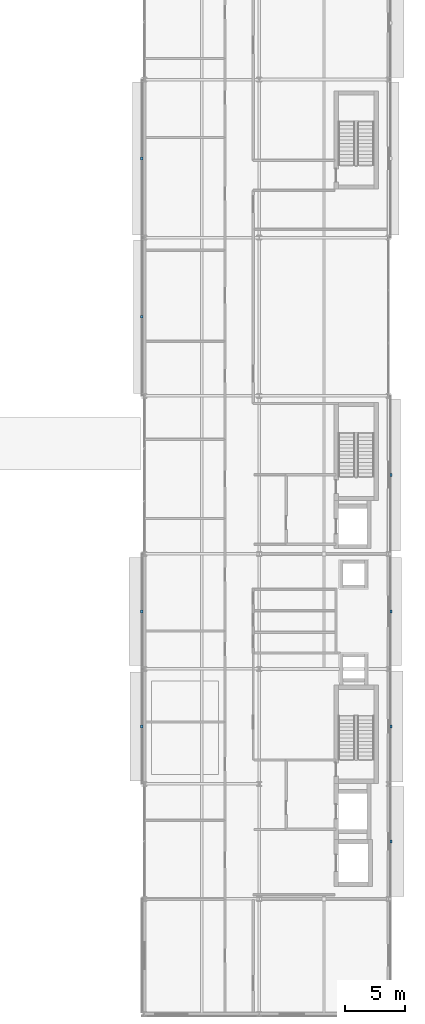
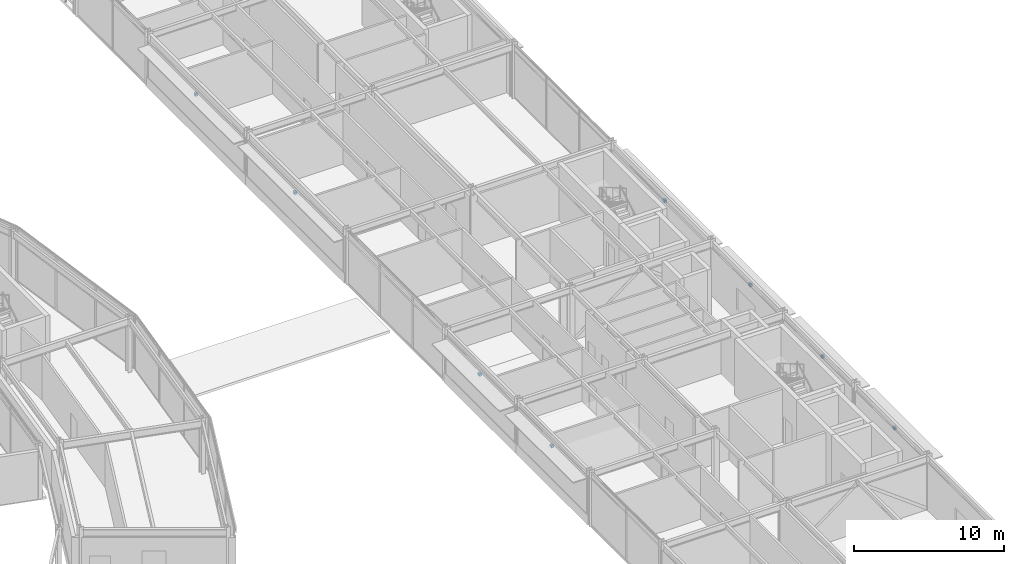
# One storey, part 114 of 133: 8 discrete accessories.
"""IFC4 building model written with IfcOpenShell, lengths in metres."""

from ifc_helpers import new_model, si_unit, direction, frame, origin, origin_2d, place, context, subcontext, project, spatial, rectangle, extrude, material, layer, layer_set, type_object, element, save


model = new_model("IFC4")

# Units and contexts
model_context = context("Model", 3, precision=1e-05, world=origin(), true_north=direction((0.0, 1.0)))
body_context = subcontext(model_context, "Body", "Model", "MODEL_VIEW")
ifc_project = project(units=[si_unit("LENGTHUNIT", "METRE"), si_unit("AREAUNIT", "SQUARE_METRE"), si_unit("VOLUMEUNIT", "CUBIC_METRE"), si_unit("PLANEANGLEUNIT", "RADIAN"), si_unit("MASSUNIT", "GRAM", prefix="KILO")], contexts=[model_context])

# Site, building, storey
site_placement = place(None, origin())
site = spatial("IfcSite", under=ifc_project, at=site_placement, CompositionType="ELEMENT")
building_placement = place(site_placement, origin())
building = spatial("IfcBuilding", under=site, at=building_placement, Name="Almandine Court Research Institute", CompositionType="ELEMENT")
storey_placement = place(building_placement, frame((0.0, 0.0, 9.800048828125)))
storey = spatial("IfcBuildingStorey", under=building, at=storey_placement, Name="L02", CompositionType="ELEMENT", Elevation=9.800048828125)

# Discrete accessories
ifc_material = material(Name="Galvanised Steel Facade Outrigger Bracket", Category="steel")
ifc_layer = layer(ifc_material, 0.219970703125)
ifc_layer_set = layer_set([ifc_layer], Name="Galvanised Steel Facade Outrigger Bracket")
discrete_accessory_type = type_object("IfcDiscreteAccessoryType", Name="Acc-CHJ-BRACKET", PredefinedType="BRACKET", material=ifc_layer_set)
for number, where, z_axis, x_axis, name in (
    (1, (153.39501953125, 30.0, 3.462890625), (0.0, 0.0, 1.0), (0.0, 1.0, 0.0), "L02 Chhajja Outrigger Bracket 90"),
    (2, (153.39501953125, 39.60009765625, 3.462890625), (0.0, 0.0, 1.0), (0.0, 1.0, 0.0), "L02 Chhajja Outrigger Bracket 91"),
    (3, (153.39501953125, 64.199951171875, 3.31201171875), (0.0, 0.0, 1.0), (0.0, 1.0, 0.0), "L02 Chhajja Outrigger Bracket 92"),
    (4, (153.39501953125, 77.39990234375, 3.31201171875), (0.0, 0.0, 1.0), (0.0, 1.0, 0.0), "L02 Chhajja Outrigger Bracket 93"),
    (5, (174.205078125, 51.0, 3.3837890625), (0.0, 0.0, 1.0), (0.0, -1.0, 0.0), "L02 Chhajja Outrigger Bracket 98"),
    (6, (174.205078125, 39.60009765625, 3.4541015625), (0.0, 0.0, 1.0), (0.0, -1.0, 0.0), "L02 Chhajja Outrigger Bracket 99"),
    (7, (174.205078125, 30.0, 3.4541015625), (0.0, 0.0, 1.0), (0.0, -1.0, 0.0), "L02 Chhajja Outrigger Bracket 100"),
    (8, (174.205078125, 20.39990234375, 3.4541015625), (0.0, 0.0, 1.0), (0.0, -1.0, 0.0), "L02 Chhajja Outrigger Bracket 101"),
):
    element("IfcDiscreteAccessory", number, at=place(storey_placement, frame(where, z_axis=z_axis, x_axis=x_axis)), inside=storey, type_object=discrete_accessory_type, Name=name, PredefinedType="BRACKET", context=body_context, shape_type="SweptSolid", body=[
        extrude(rectangle(XDim=0.239990234375, YDim=0.179931640625, at=origin_2d()), origin(), (0.0, 0.0, 1.0), 0.219970703125),
    ])

save(model, "model.ifc")
